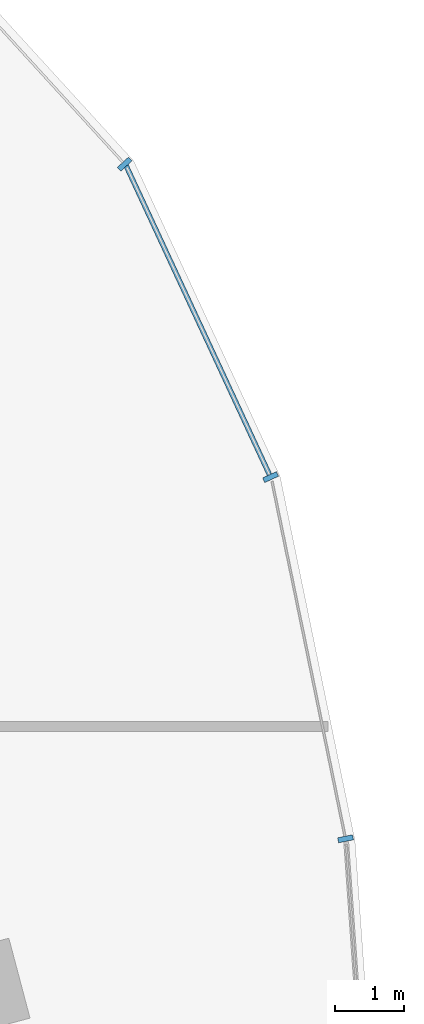
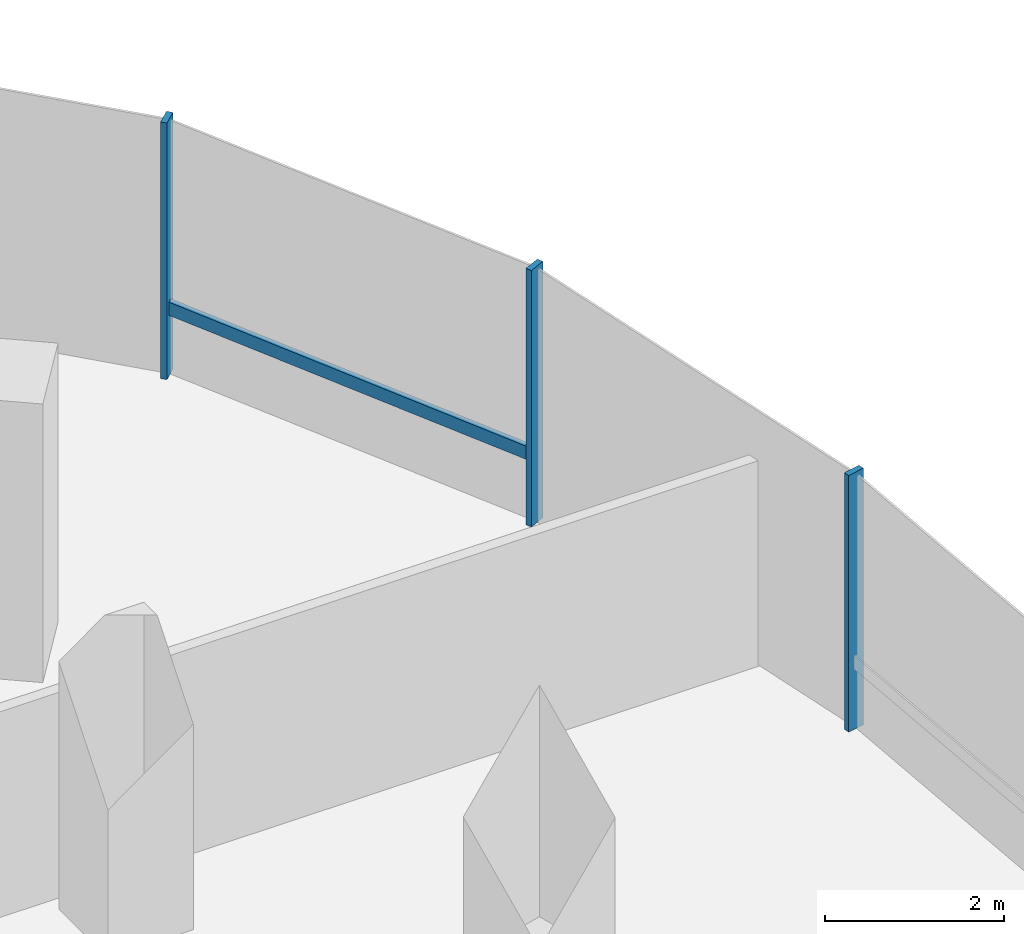
# One storey, part 8 of 21: 4 members, 1 element without a shape of its own.
"""IFC4 building model written with IfcOpenShell, lengths in metres."""

from ifc_helpers import new_model, si_unit, direction, frame, origin, origin_2d, place, context, subcontext, project, spatial, rectangle, extrude, material, material_profile, profile_set, type_object, element, aggregate, save


model = new_model("IFC4")

# Units and contexts
model_context = context("Model", 3, precision=1e-05, world=origin(), true_north=direction((0.0, 1.0)))
body_context = subcontext(model_context, "Body", "Model", "MODEL_VIEW")
ifc_project = project(units=[si_unit("LENGTHUNIT", "METRE"), si_unit("AREAUNIT", "SQUARE_METRE"), si_unit("VOLUMEUNIT", "CUBIC_METRE"), si_unit("PLANEANGLEUNIT", "RADIAN"), si_unit("MASSUNIT", "GRAM", prefix="KILO"), si_unit("THERMODYNAMICTEMPERATUREUNIT", "KELVIN"), si_unit("POWERUNIT", "WATT")], contexts=[model_context])

# Site, building, storey
site_placement = place(None, origin())
site = spatial("IfcSite", under=ifc_project, at=site_placement, CompositionType="ELEMENT")
building_placement = place(site_placement, origin())
building = spatial("IfcBuilding", under=site, at=building_placement, Name="Cundina Bronze Exchange", CompositionType="ELEMENT")
storey_placement = place(building_placement, frame((0.0, 0.0, 46.800048828125)))
storey = spatial("IfcBuildingStorey", under=building, at=storey_placement, Name="L11", CompositionType="ELEMENT", Elevation=46.800048828125)

# Curtain wall, members
ifc_material = material(Name="Anodised Bronze Aluminium 6063-T6", Category="aluminium")
curtain_wall_type = type_object("IfcCurtainWallType", Name="CWS-TRD-LOW", PredefinedType="NOTDEFINED", material=ifc_material)
curtain_wall_placement = place(storey_placement, origin())
curtain_wall = element("IfcCurtainWall", 1, at=curtain_wall_placement, inside=storey, type_object=curtain_wall_type, Name="L11 CW-02 Curtain Wall Run CWR-L11-E1", PredefinedType="NOTDEFINED")
ifc_material_profile_1 = material_profile(ifc_material, rectangle(XDim=0.074951171875, YDim=0.219970703125, at=origin_2d()), Name="AL75X220", Category="aluminium")
ifc_profile_set_1 = profile_set([ifc_material_profile_1], Name="Anodised Bronze Aluminium 6063-T6")
member_type_1 = type_object("IfcMemberType", Name="CWM-MUL-220", PredefinedType="MULLION", material=ifc_profile_set_1)
member_1_placement = place(storey_placement, frame((50.717041015625, 8.67822265625, 0.0), z_axis=(0.0, 0.0, 1.0), x_axis=(-0.201419845156, 0.979505000486, 0.0)))
member_1 = element("IfcMember", 2, at=member_1_placement, type_object=member_type_1, Name="CW-02 Mullion 2", PredefinedType="MULLION", context=body_context, shape_type="SweptSolid", body=[
    extrude(rectangle(XDim=0.074951171875, YDim=0.219970703125, at=origin_2d()), origin(), (0.0, 0.0, 1.0), 3.5),
])
member_2_placement = place(storey_placement, frame((49.6279296875, 13.931884765625, 0.0), z_axis=(0.0, 0.0, 1.0), x_axis=(-0.42087749791, 0.907117485088, 0.0)))
member_2 = element("IfcMember", 3, at=member_2_placement, type_object=member_type_1, Name="CW-02 Mullion 3", PredefinedType="MULLION", context=body_context, shape_type="SweptSolid", body=[
    extrude(rectangle(XDim=0.074951171875, YDim=0.219970703125, at=origin_2d()), origin(), (0.0, 0.0, 1.0), 3.5),
])
member_3_placement = place(storey_placement, frame((47.508544921875, 18.47705078125, 0.0), z_axis=(0.0, 0.0, 1.0), x_axis=(-0.674302387584, 0.738455340626, 0.0)))
member_3 = element("IfcMember", 4, at=member_3_placement, type_object=member_type_1, Name="CW-02 Mullion 4", PredefinedType="MULLION", context=body_context, shape_type="SweptSolid", body=[
    extrude(rectangle(XDim=0.074951171875, YDim=0.219970703125, at=origin_2d()), origin(), (0.0, 0.0, 1.0), 3.5),
])
ifc_material_profile_2 = material_profile(ifc_material, rectangle(XDim=0.070068359375, YDim=0.179931640625, at=origin_2d()), Name="AL70X180", Category="aluminium")
ifc_profile_set_2 = profile_set([ifc_material_profile_2], Name="Anodised Bronze Aluminium 6063-T6")
member_type_2 = type_object("IfcMemberType", Name="CWM-TRN-180", PredefinedType="USERDEFINED", material=ifc_profile_set_2)
member_4_placement = place(storey_placement, frame((49.610595703125, 13.96923828125, 0.919921875), z_axis=(-0.420811422796, 0.907148139195, 0.0), x_axis=(-0.907148139195, -0.420811422796, 0.0)))
member_4 = element("IfcMember", 5, at=member_4_placement, type_object=member_type_2, Name="CW-02 Spandrel Transom 3", ObjectType="TRANSOM", PredefinedType="USERDEFINED", context=body_context, shape_type="SweptSolid", body=[
    extrude(rectangle(XDim=0.070068359375, YDim=0.179931640625, at=origin_2d()), origin(), (0.0, 0.0, 1.0), 4.95166015625),
])
aggregate(curtain_wall, [member_1, member_2, member_4, member_3])

save(model, "model.ifc")
